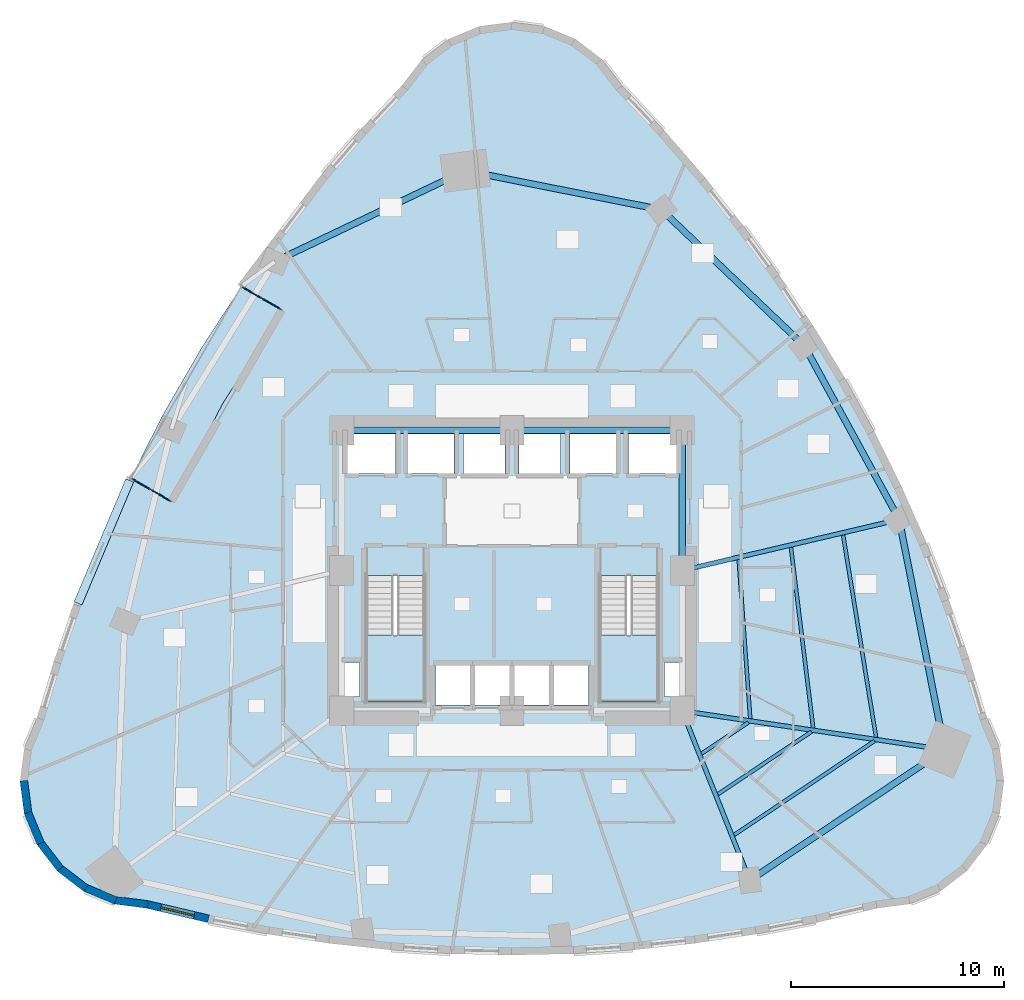
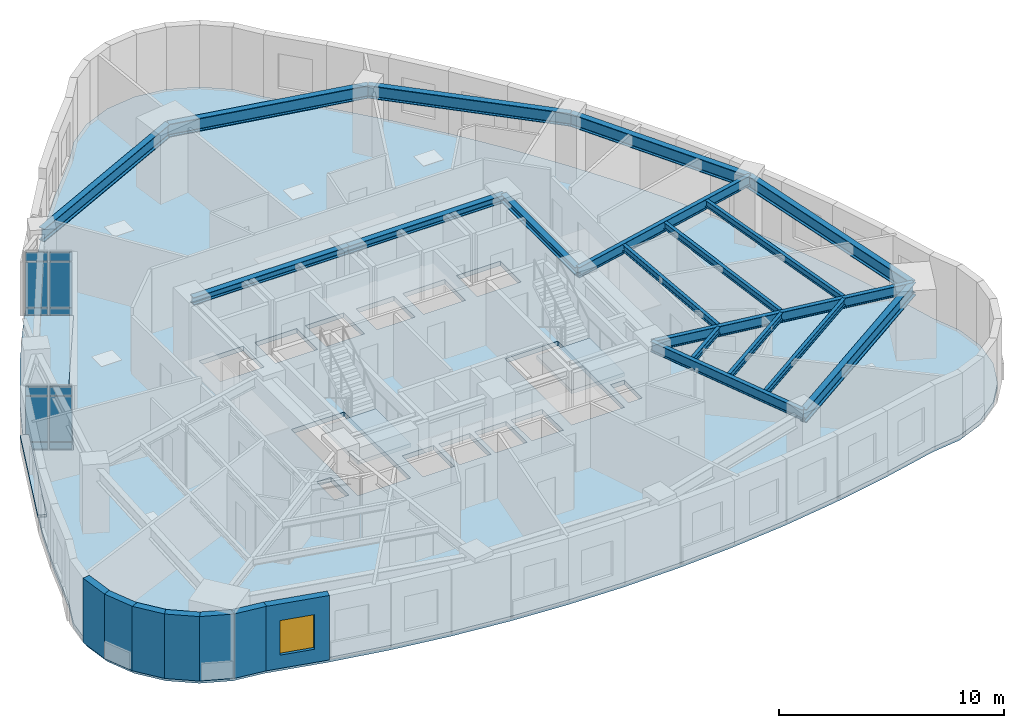
# One storey, part 4 of 12: 18 beams, 13 plates, 7 walls, 4 slabs, 1 window, 1 opening, 4 elements without a shape of their own.
"""IFC4 building model written with IfcOpenShell, lengths in metres."""

from ifc_helpers import new_model, si_unit, direction, frame, frame_2d, origin, origin_2d, place, context, subcontext, project, spatial, polyline, rectangle, i_section, outline, extrude, material, layer, layer_set, material_profile, profile_set, type_object, element, fill, aggregate, save


model = new_model("IFC4")

# Units and contexts
model_context = context("Model", 3, precision=1e-05, world=origin(), true_north=direction((0.0, 1.0)))
body_context = subcontext(model_context, "Body", "Model", "MODEL_VIEW")
ifc_project = project(units=[si_unit("LENGTHUNIT", "METRE"), si_unit("AREAUNIT", "SQUARE_METRE"), si_unit("VOLUMEUNIT", "CUBIC_METRE"), si_unit("PLANEANGLEUNIT", "RADIAN"), si_unit("MASSUNIT", "GRAM", prefix="KILO")], contexts=[model_context])

# Site, building, storey
site_placement = place(None, origin())
site = spatial("IfcSite", under=ifc_project, at=site_placement, CompositionType="ELEMENT")
building_placement = place(site_placement, origin())
building = spatial("IfcBuilding", under=site, at=building_placement, Name="Ndelora Gate Hotel", CompositionType="ELEMENT")
storey_placement = place(building_placement, frame((0.0, 0.0, 38.0)))
storey = spatial("IfcBuildingStorey", under=building, at=storey_placement, Name="L08", CompositionType="ELEMENT", Elevation=38.0)

# Beams
ifc_material_1 = material(Name="Steel S355", Category="steel")
ifc_material_profile_1 = material_profile(ifc_material_1, i_section(OverallWidth=0.300048828125, OverallDepth=0.39990234375, WebThickness=0.013427734375, FlangeThickness=0.02392578125, FilletRadius=0.027099609375, at=origin_2d()), Name="HEB 400")
ifc_profile_set_1 = profile_set([ifc_material_profile_1], Name="Steel S355")
beam_type_1 = type_object("IfcBeamType", Name="BM-CORE-400", PredefinedType="BEAM", material=ifc_profile_set_1)
for number, where, z_axis, x_axis, name in (
    (1, (-8.0, 6.60009765625, 3.300048828125), (1.0, 0.0, 0.0), (0.0, 1.0, 0.0), "L08 Core Tie Girder CC7-CC6"),
    (2, (0.0, 6.60009765625, 3.300048828125), (1.0, 0.0, 0.0), (0.0, 1.0, 0.0), "L08 Core Tie Girder CC6-CC5"),
):
    element("IfcBeam", number, at=place(storey_placement, frame(where, z_axis=z_axis, x_axis=x_axis)), inside=storey, type_object=beam_type_1, Name=name, PredefinedType="BEAM", context=body_context, shape_type="SweptSolid", body=[
        extrude(i_section(OverallWidth=0.300048828125, OverallDepth=0.39990234375, WebThickness=0.013427734375, FlangeThickness=0.02392578125, FilletRadius=0.027099609375, at=origin_2d()), origin(), (0.0, 0.0, 1.0), 8.0),
    ])
beam_1_placement = place(storey_placement, frame((8.0, 0.0, 3.300048828125), z_axis=(0.0, 1.0, 0.0), x_axis=(-1.0, 0.0, 0.0)))
element("IfcBeam", 3, at=beam_1_placement, inside=storey, type_object=beam_type_1, Name="L08 Core Tie Girder CC4-CC5", PredefinedType="BEAM", context=body_context, shape_type="SweptSolid", body=[
    extrude(i_section(OverallWidth=0.300048828125, OverallDepth=0.39990234375, WebThickness=0.013427734375, FlangeThickness=0.02392578125, FilletRadius=0.027099609375, at=origin_2d()), origin(), (0.0, 0.0, 1.0), 6.60009765625),
])
ifc_material_profile_2 = material_profile(ifc_material_1, i_section(OverallWidth=0.169921875, OverallDepth=0.360107421875, WebThickness=0.008056640625, FlangeThickness=0.0126953125, FilletRadius=0.01806640625, at=origin_2d()), Name="IPE 360")
ifc_profile_set_2 = profile_set([ifc_material_profile_2], Name="Steel S355")
beam_type_2 = type_object("IfcBeamType", Name="BM-JST-360", PredefinedType="JOIST", material=ifc_profile_set_2)
beam_2_placement = place(storey_placement, frame((8.922119140625, -8.608154296875, 3.320068359375), z_axis=(0.830952990267, 0.556342635402, 0.0), x_axis=(-0.556342635402, 0.830952990267, 0.0)))
element("IfcBeam", 4, at=beam_2_placement, inside=storey, type_object=beam_type_2, Name="L08 Secondary Composite Floor Joist IN-8", PredefinedType="JOIST", context=body_context, shape_type="SweptSolid", body=[
    extrude(i_section(OverallWidth=0.169921875, OverallDepth=0.360107421875, WebThickness=0.008056640625, FlangeThickness=0.0126953125, FilletRadius=0.01806640625, at=origin_2d()), origin(), (0.0, 0.0, 1.0), 2.6396484375),
])
beam_3_placement = place(storey_placement, frame((9.685302734375, -10.520751953125, 3.320068359375), z_axis=(0.83093347578, 0.556371781121, 0.0), x_axis=(-0.556371781121, 0.83093347578, 0.0)))
element("IfcBeam", 5, at=beam_3_placement, inside=storey, type_object=beam_type_2, Name="L08 Secondary Composite Floor Joist MID-8", PredefinedType="JOIST", context=body_context, shape_type="SweptSolid", body=[
    extrude(i_section(OverallWidth=0.169921875, OverallDepth=0.360107421875, WebThickness=0.008056640625, FlangeThickness=0.0126953125, FilletRadius=0.01806640625, at=origin_2d()), origin(), (0.0, 0.0, 1.0), 5.2880859375),
])
beam_4_placement = place(storey_placement, frame((10.448486328125, -12.433349609375, 3.320068359375), z_axis=(0.830936507521, 0.556367253231, 0.0), x_axis=(-0.556367253231, 0.830936507521, 0.0)))
element("IfcBeam", 6, at=beam_4_placement, inside=storey, type_object=beam_type_2, Name="L08 Secondary Composite Floor Joist OUT-8", PredefinedType="JOIST", context=body_context, shape_type="SweptSolid", body=[
    extrude(i_section(OverallWidth=0.169921875, OverallDepth=0.360107421875, WebThickness=0.008056640625, FlangeThickness=0.0126953125, FilletRadius=0.01806640625, at=origin_2d()), origin(), (0.0, 0.0, 1.0), 7.936767578125),
])
beam_5_placement = place(storey_placement, frame((11.20263671875, -6.9609375, 3.320068359375), z_axis=(-0.072176031603, 0.997391909162, 0.0), x_axis=(-0.997391909162, -0.072176031603, 0.0)))
element("IfcBeam", 7, at=beam_5_placement, inside=storey, type_object=beam_type_2, Name="L08 Secondary Composite Floor Joist IN-9", PredefinedType="JOIST", context=body_context, shape_type="SweptSolid", body=[
    extrude(i_section(OverallWidth=0.169921875, OverallDepth=0.360107421875, WebThickness=0.008056640625, FlangeThickness=0.0126953125, FilletRadius=0.01806640625, at=origin_2d()), origin(), (0.0, 0.0, 1.0), 7.489013671875),
])
beam_6_placement = place(storey_placement, frame((14.160888671875, -7.400390625, 3.320068359375), z_axis=(-0.122030984704, 0.992526291225, 0.0), x_axis=(-0.992526291225, -0.122030984704, 0.0)))
element("IfcBeam", 8, at=beam_6_placement, inside=storey, type_object=beam_type_2, Name="L08 Secondary Composite Floor Joist MID-9", PredefinedType="JOIST", context=body_context, shape_type="SweptSolid", body=[
    extrude(i_section(OverallWidth=0.169921875, OverallDepth=0.360107421875, WebThickness=0.008056640625, FlangeThickness=0.0126953125, FilletRadius=0.01806640625, at=origin_2d()), origin(), (0.0, 0.0, 1.0), 8.548828125),
])
beam_7_placement = place(storey_placement, frame((17.12060546875, -7.840087890625, 3.320068359375), z_axis=(-0.160901992796, 0.986970388975, 0.0), x_axis=(-0.986970388975, -0.160901992796, 0.0)))
element("IfcBeam", 9, at=beam_7_placement, inside=storey, type_object=beam_type_2, Name="L08 Secondary Composite Floor Joist OUT-9", PredefinedType="JOIST", context=body_context, shape_type="SweptSolid", body=[
    extrude(i_section(OverallWidth=0.169921875, OverallDepth=0.360107421875, WebThickness=0.008056640625, FlangeThickness=0.0126953125, FilletRadius=0.01806640625, at=origin_2d()), origin(), (0.0, 0.0, 1.0), 9.6259765625),
])
ifc_material_profile_3 = material_profile(ifc_material_1, i_section(OverallWidth=0.2099609375, OverallDepth=0.550048828125, WebThickness=0.010986328125, FlangeThickness=0.01708984375, FilletRadius=0.02392578125, at=origin_2d()), Name="IPE 550")
ifc_profile_set_3 = profile_set([ifc_material_profile_3], Name="Steel S355")
beam_type_3 = type_object("IfcBeamType", Name="BM-RAD-550", PredefinedType="BEAM", material=ifc_profile_set_3)
beam_8_placement = place(storey_placement, frame((8.0, -6.60009765625, 3.22509765625), z_axis=(0.37056142644, -0.92880796144, 0.0), x_axis=(0.92880796144, 0.37056142644, 0.0)))
element("IfcBeam", 10, at=beam_8_placement, inside=storey, type_object=beam_type_3, Name="L08 Radial Floor Girder 8", PredefinedType="BEAM", context=body_context, shape_type="SweptSolid", body=[
    extrude(i_section(OverallWidth=0.2099609375, OverallDepth=0.550048828125, WebThickness=0.010986328125, FlangeThickness=0.01708984375, FilletRadius=0.02392578125, at=origin_2d()), origin(), (0.0, 0.0, 1.0), 8.580078125),
])
beam_9_placement = place(storey_placement, frame((8.0, -6.60009765625, 3.22509765625), z_axis=(0.989209761041, -0.146506138649, 0.0), x_axis=(0.146506138649, 0.989209761041, 0.0)))
element("IfcBeam", 11, at=beam_9_placement, inside=storey, type_object=beam_type_3, Name="L08 Radial Floor Girder 9", PredefinedType="BEAM", context=body_context, shape_type="SweptSolid", body=[
    extrude(i_section(OverallWidth=0.2099609375, OverallDepth=0.550048828125, WebThickness=0.010986328125, FlangeThickness=0.01708984375, FilletRadius=0.02392578125, at=origin_2d()), origin(), (0.0, 0.0, 1.0), 12.48486328125),
])
beam_10_placement = place(storey_placement, frame((8.0, 0.0, 3.22509765625), z_axis=(0.973517848051, 0.22861102232, 0.0), x_axis=(-0.22861102232, 0.973517848051, 0.0)))
element("IfcBeam", 12, at=beam_10_placement, inside=storey, type_object=beam_type_3, Name="L08 Radial Floor Girder 10", PredefinedType="BEAM", context=body_context, shape_type="SweptSolid", body=[
    extrude(i_section(OverallWidth=0.2099609375, OverallDepth=0.550048828125, WebThickness=0.010986328125, FlangeThickness=0.01708984375, FilletRadius=0.02392578125, at=origin_2d()), origin(), (0.0, 0.0, 1.0), 10.48486328125),
])
ifc_material_profile_4 = material_profile(ifc_material_1, i_section(OverallWidth=0.300048828125, OverallDepth=0.699951171875, WebThickness=0.01708984375, FlangeThickness=0.031982421875, FilletRadius=0.027099609375, at=origin_2d()), Name="HEB 700")
ifc_profile_set_4 = profile_set([ifc_material_profile_4], Name="Steel S355")
beam_type_4 = type_object("IfcBeamType", Name="BM-RING-700", PredefinedType="SPANDREL", material=ifc_profile_set_4)
beam_11_placement = place(storey_placement, frame((-2.199951171875, 18.800048828125, 3.14990234375), z_axis=(-0.902476034566, -0.43074006899, 0.0), x_axis=(0.43074006899, -0.902476034566, 0.0)))
element("IfcBeam", 13, at=beam_11_placement, inside=storey, type_object=beam_type_4, Name="L08 Perimeter Spandrel Girder 1", PredefinedType="SPANDREL", context=body_context, shape_type="SweptSolid", body=[
    extrude(i_section(OverallWidth=0.300048828125, OverallDepth=0.699951171875, WebThickness=0.01708984375, FlangeThickness=0.031982421875, FilletRadius=0.027099609375, at=origin_2d()), origin(), (0.0, 0.0, 1.0), 9.91552734375),
])
beam_12_placement = place(storey_placement, frame((11.179443359375, -14.5693359375, 3.14990234375), z_axis=(0.830945983886, 0.556353099985, 0.0), x_axis=(-0.556353099985, 0.830945983886, 0.0)))
element("IfcBeam", 14, at=beam_12_placement, inside=storey, type_object=beam_type_4, Name="L08 Perimeter Spandrel Girder 8", PredefinedType="SPANDREL", context=body_context, shape_type="SweptSolid", body=[
    extrude(i_section(OverallWidth=0.300048828125, OverallDepth=0.699951171875, WebThickness=0.01708984375, FlangeThickness=0.031982421875, FilletRadius=0.027099609375, at=origin_2d()), origin(), (0.0, 0.0, 1.0), 11.036376953125),
])
beam_13_placement = place(storey_placement, frame((20.35009765625, -8.42919921875, 3.14990234375), z_axis=(-0.194163071691, 0.980969266385, 0.0), x_axis=(-0.980969266385, -0.194163071691, 0.0)))
element("IfcBeam", 15, at=beam_13_placement, inside=storey, type_object=beam_type_4, Name="L08 Perimeter Spandrel Girder 9", PredefinedType="SPANDREL", context=body_context, shape_type="SweptSolid", body=[
    extrude(i_section(OverallWidth=0.300048828125, OverallDepth=0.699951171875, WebThickness=0.01708984375, FlangeThickness=0.031982421875, FilletRadius=0.027099609375, at=origin_2d()), origin(), (0.0, 0.0, 1.0), 11.0361328125),
])
for number, where, z_axis, x_axis, name in (
    (16, (18.207275390625, 2.39697265625, 3.14990234375), (-0.479203651005, 0.87770374322, 0.0), (-0.87770374322, -0.479203651005, 0.0), "L08 Perimeter Spandrel Girder 10"),
    (17, (13.75390625, 10.5537109375, 3.14990234375), (-0.723784227769, 0.690026370244, 0.0), (-0.690026370244, -0.723784227769, 0.0), "L08 Perimeter Spandrel Girder 11"),
):
    element("IfcBeam", number, at=place(storey_placement, frame(where, z_axis=z_axis, x_axis=x_axis)), inside=storey, type_object=beam_type_4, Name=name, PredefinedType="SPANDREL", context=body_context, shape_type="SweptSolid", body=[
        extrude(i_section(OverallWidth=0.300048828125, OverallDepth=0.699951171875, WebThickness=0.01708984375, FlangeThickness=0.031982421875, FilletRadius=0.027099609375, at=origin_2d()), origin(), (0.0, 0.0, 1.0), 9.293212890625),
    ])
beam_14_placement = place(storey_placement, frame((7.027587890625, 16.96630859375, 3.14990234375), z_axis=(-0.980820478164, 0.194913287424, 0.0), x_axis=(-0.194913287424, -0.980820478164, 0.0)))
element("IfcBeam", 18, at=beam_14_placement, inside=storey, type_object=beam_type_4, Name="L08 Perimeter Spandrel Girder 12", PredefinedType="SPANDREL", context=body_context, shape_type="SweptSolid", body=[
    extrude(i_section(OverallWidth=0.300048828125, OverallDepth=0.699951171875, WebThickness=0.01708984375, FlangeThickness=0.031982421875, FilletRadius=0.027099609375, at=origin_2d()), origin(), (0.0, 0.0, 1.0), 9.407958984375),
])

# Curtain wall, plates
ifc_material_2 = material(Name="Bronze Anodised Unitised Aluminium and Low-E Glass", Category="aluminium")
ifc_layer_1 = layer(ifc_material_2, 0.199951171875)
ifc_layer_set_1 = layer_set([ifc_layer_1], Name="Bronze Anodised Unitised Aluminium and Low-E Glass")
curtain_wall_type = type_object("IfcCurtainWallType", Name="CW-SYS-3", PredefinedType="NOTDEFINED", material=ifc_layer_set_1)
curtain_wall_1_placement = place(storey_placement, origin())
curtain_wall_1 = element("IfcCurtainWall", 19, at=curtain_wall_1_placement, inside=storey, type_object=curtain_wall_type, Name="L08 Sky-Garden Loggia Side Curtain Wall CW3-1", PredefinedType="NOTDEFINED")
ifc_material_3 = material(Name="Solar-Control Low-E Insulated Glazing", Category="glass")
ifc_layer_2 = layer(ifc_material_3, 0.048095703125)
ifc_layer_set_2 = layer_set([ifc_layer_2], Name="Solar-Control Low-E Insulated Glazing")
plate_type_1 = type_object("IfcPlateType", Name="PL-CW-GLZ36", PredefinedType="CURTAIN_PANEL", material=ifc_layer_set_2)
plate_1_placement = place(storey_placement, frame((-11.315185546875, 12.537353515625, 0.05908203125), z_axis=(0.0, 0.0, 1.0), x_axis=(-0.866030416344, 0.499991317892, 0.0)))
plate_1 = element("IfcPlate", 20, at=plate_1_placement, type_object=plate_type_1, Name="CW3 panel 1.1", PredefinedType="CURTAIN_PANEL", context=body_context, shape_type="SweptSolid", body=[
    extrude(rectangle(XDim=1.014404296875, YDim=0.048095703125, at=origin_2d()), origin(), (0.0, 0.0, 1.0), 0.364501953125),
])
plate_2_placement = place(storey_placement, frame((-11.315185546875, 12.537353515625, 0.4765625), z_axis=(0.0, 0.0, 1.0), x_axis=(-0.866030416344, 0.499991317892, 0.0)))
plate_2 = element("IfcPlate", 21, at=plate_2_placement, type_object=plate_type_1, Name="CW3 panel 1.2", PredefinedType="CURTAIN_PANEL", context=body_context, shape_type="SweptSolid", body=[
    extrude(rectangle(XDim=1.014404296875, YDim=0.048095703125, at=origin_2d()), origin(), (0.0, 0.0, 1.0), 2.447021484375),
])
plate_3_placement = place(storey_placement, frame((-11.315185546875, 12.537353515625, 2.9765625), z_axis=(0.0, 0.0, 1.0), x_axis=(-0.866030416344, 0.499991317892, 0.0)))
plate_3 = element("IfcPlate", 22, at=plate_3_placement, type_object=plate_type_1, Name="CW3 panel 1.3", PredefinedType="CURTAIN_PANEL", context=body_context, shape_type="SweptSolid", body=[
    extrude(rectangle(XDim=1.014404296875, YDim=0.048095703125, at=origin_2d()), origin(), (0.0, 0.0, 1.0), 0.464599609375),
])
plate_4_placement = place(storey_placement, frame((-12.23974609375, 13.071044921875, 0.05908203125), z_axis=(0.0, 0.0, 1.0), x_axis=(-0.866030416344, 0.499991317892, 0.0)))
plate_4 = element("IfcPlate", 23, at=plate_4_placement, type_object=plate_type_1, Name="CW3 panel 2.1", PredefinedType="CURTAIN_PANEL", context=body_context, shape_type="SweptSolid", body=[
    extrude(rectangle(XDim=1.014404296875, YDim=0.048095703125, at=origin_2d()), origin(), (0.0, 0.0, 1.0), 0.364501953125),
])
plate_5_placement = place(storey_placement, frame((-12.23974609375, 13.071044921875, 0.4765625), z_axis=(0.0, 0.0, 1.0), x_axis=(-0.866030416344, 0.499991317892, 0.0)))
plate_5 = element("IfcPlate", 24, at=plate_5_placement, type_object=plate_type_1, Name="CW3 panel 2.2", PredefinedType="CURTAIN_PANEL", context=body_context, shape_type="SweptSolid", body=[
    extrude(rectangle(XDim=1.014404296875, YDim=0.048095703125, at=origin_2d()), origin(), (0.0, 0.0, 1.0), 2.447021484375),
])
plate_6_placement = place(storey_placement, frame((-12.23974609375, 13.071044921875, 2.9765625), z_axis=(0.0, 0.0, 1.0), x_axis=(-0.866030416344, 0.499991317892, 0.0)))
plate_6 = element("IfcPlate", 25, at=plate_6_placement, type_object=plate_type_1, Name="CW3 panel 2.3", PredefinedType="CURTAIN_PANEL", context=body_context, shape_type="SweptSolid", body=[
    extrude(rectangle(XDim=1.014404296875, YDim=0.048095703125, at=origin_2d()), origin(), (0.0, 0.0, 1.0), 0.464599609375),
])
aggregate(curtain_wall_1, [plate_1, plate_2, plate_3, plate_4, plate_5, plate_6])

curtain_wall_2_placement = place(storey_placement, origin())
curtain_wall_2 = element("IfcCurtainWall", 26, at=curtain_wall_2_placement, inside=storey, type_object=curtain_wall_type, Name="L08 Sky-Garden Loggia Side Curtain Wall CW3-2", PredefinedType="NOTDEFINED")
plate_7_placement = place(storey_placement, frame((-17.439697265625, 4.064453125, 0.05908203125), z_axis=(0.0, 0.0, 1.0), x_axis=(0.866030416344, -0.499991317892, 0.0)))
plate_7 = element("IfcPlate", 27, at=plate_7_placement, type_object=plate_type_1, Name="CW3 panel 1.1", PredefinedType="CURTAIN_PANEL", context=body_context, shape_type="SweptSolid", body=[
    extrude(rectangle(XDim=1.014404296875, YDim=0.048095703125, at=origin_2d()), origin(), (0.0, 0.0, 1.0), 0.364501953125),
])
plate_8_placement = place(storey_placement, frame((-17.439697265625, 4.064453125, 0.4765625), z_axis=(0.0, 0.0, 1.0), x_axis=(0.866030416344, -0.499991317892, 0.0)))
plate_8 = element("IfcPlate", 28, at=plate_8_placement, type_object=plate_type_1, Name="CW3 panel 1.2", PredefinedType="CURTAIN_PANEL", context=body_context, shape_type="SweptSolid", body=[
    extrude(rectangle(XDim=1.014404296875, YDim=0.048095703125, at=origin_2d()), origin(), (0.0, 0.0, 1.0), 2.447021484375),
])
plate_9_placement = place(storey_placement, frame((-17.439697265625, 4.064453125, 2.9765625), z_axis=(0.0, 0.0, 1.0), x_axis=(0.866030416344, -0.499991317892, 0.0)))
plate_9 = element("IfcPlate", 29, at=plate_9_placement, type_object=plate_type_1, Name="CW3 panel 1.3", PredefinedType="CURTAIN_PANEL", context=body_context, shape_type="SweptSolid", body=[
    extrude(rectangle(XDim=1.014404296875, YDim=0.048095703125, at=origin_2d()), origin(), (0.0, 0.0, 1.0), 0.464599609375),
])
plate_10_placement = place(storey_placement, frame((-16.515380859375, 3.53076171875, 0.05908203125), z_axis=(0.0, 0.0, 1.0), x_axis=(0.866030416344, -0.499991317892, 0.0)))
plate_10 = element("IfcPlate", 30, at=plate_10_placement, type_object=plate_type_1, Name="CW3 panel 2.1", PredefinedType="CURTAIN_PANEL", context=body_context, shape_type="SweptSolid", body=[
    extrude(rectangle(XDim=1.014404296875, YDim=0.048095703125, at=origin_2d()), origin(), (0.0, 0.0, 1.0), 0.364501953125),
])
plate_11_placement = place(storey_placement, frame((-16.515380859375, 3.53076171875, 0.4765625), z_axis=(0.0, 0.0, 1.0), x_axis=(0.866030416344, -0.499991317892, 0.0)))
plate_11 = element("IfcPlate", 31, at=plate_11_placement, type_object=plate_type_1, Name="CW3 panel 2.2", PredefinedType="CURTAIN_PANEL", context=body_context, shape_type="SweptSolid", body=[
    extrude(rectangle(XDim=1.014404296875, YDim=0.048095703125, at=origin_2d()), origin(), (0.0, 0.0, 1.0), 2.447021484375),
])
plate_12_placement = place(storey_placement, frame((-16.515380859375, 3.53076171875, 2.9765625), z_axis=(0.0, 0.0, 1.0), x_axis=(0.866030416344, -0.499991317892, 0.0)))
plate_12 = element("IfcPlate", 32, at=plate_12_placement, type_object=plate_type_1, Name="CW3 panel 2.3", PredefinedType="CURTAIN_PANEL", context=body_context, shape_type="SweptSolid", body=[
    extrude(rectangle(XDim=1.014404296875, YDim=0.048095703125, at=origin_2d()), origin(), (0.0, 0.0, 1.0), 0.464599609375),
])
aggregate(curtain_wall_2, [plate_7, plate_8, plate_9, plate_10, plate_11, plate_12])

# Plate
ifc_material_4 = material(Name="Precast concrete C40/50", Category="concrete")
ifc_layer_3 = layer(ifc_material_4, 0.125)
ifc_layer_set_3 = layer_set([ifc_layer_3], Name="Precast concrete C40/50")
plate_type_2 = type_object("IfcPlateType", Name="PL-SILL-120", PredefinedType="USERDEFINED", material=ifc_layer_set_3)
plate_13_placement = place(storey_placement, frame((-19.193359375, 1.344482421875, 0.78759765625), z_axis=(0.0, 0.0, 1.0), x_axis=(0.387676476022, 0.921795503319, 0.0)))
element("IfcPlate", 33, at=plate_13_placement, inside=storey, type_object=plate_type_2, Name="L08 Streamline Precast Ribbon Sill 16", ObjectType="RIBBON_SILL", PredefinedType="USERDEFINED", context=body_context, shape_type="SweptSolid", body=[
    extrude(rectangle(XDim=6.26611328125, YDim=0.39990234375, at=origin_2d()), origin(), (0.0, 0.0, 1.0), 0.125),
])

# Stair, slab
stair_type = type_object("IfcStairType", Name="STR-DOG-CORE", PredefinedType="HALF_TURN_STAIR", material=ifc_material_4)
stair_1_placement = place(storey_placement, origin())
stair_1 = element("IfcStair", 34, at=stair_1_placement, inside=storey, type_object=stair_type, Name="L08 Protected Core Exit Stair ST4", PredefinedType="HALF_TURN_STAIR")
ifc_layer_4 = layer(ifc_material_4, 0.219970703125)
ifc_layer_set_4 = layer_set([ifc_layer_4], Name="Precast concrete C40/50")
slab_type_1 = type_object("IfcSlabType", Name="SL-LAND-220", PredefinedType="LANDING", material=ifc_layer_set_4)
slab_1_placement = place(storey_placement, frame((0.0, 0.0, 1.675048828125)))
slab_1 = element("IfcSlab", 35, at=slab_1_placement, type_object=slab_type_1, Name="ST4 landing 1", PredefinedType="LANDING", context=body_context, shape_type="SweptSolid", body=[
    extrude(outline(polyline([(-6.85009765625, -3.030029296875), (-6.85009765625, -6.14990234375), (-4.1298828125, -6.14990234375), (-4.1298828125, -3.030029296875), (-6.85009765625, -3.030029296875)])), origin(), (0.0, 0.0, 1.0), 0.199951171875),
])
aggregate(stair_1, [slab_1])

stair_2_placement = place(storey_placement, origin())
stair_2 = element("IfcStair", 36, at=stair_2_placement, inside=storey, type_object=stair_type, Name="L08 Protected Core Exit Stair ST5", PredefinedType="HALF_TURN_STAIR")
slab_2_placement = place(storey_placement, frame((0.0, 0.0, 1.675048828125)))
slab_2 = element("IfcSlab", 37, at=slab_2_placement, type_object=slab_type_1, Name="ST5 landing 1", PredefinedType="LANDING", context=body_context, shape_type="SweptSolid", body=[
    extrude(outline(polyline([(4.1298828125, -3.030029296875), (4.1298828125, -6.14990234375), (6.85009765625, -6.14990234375), (6.85009765625, -3.030029296875), (4.1298828125, -3.030029296875)])), origin(), (0.0, 0.0, 1.0), 0.199951171875),
])
aggregate(stair_2, [slab_2])

# Slabs
ifc_layer_5 = layer(ifc_material_4, 0.239990234375)
ifc_layer_set_5 = layer_set([ifc_layer_5], Name="Precast concrete C40/50")
slab_type_2 = type_object("IfcSlabType", Name="SL-TER-240", PredefinedType="FLOOR", material=ifc_layer_set_5)
slab_3_placement = place(storey_placement, frame((0.0, 0.0, -0.239990234375)))
element("IfcSlab", 38, at=slab_3_placement, inside=storey, type_object=slab_type_2, Name="L08 Sky Garden Loggia Terrace Slab", PredefinedType="FLOOR", context=body_context, shape_type="SweptSolid", body=[
    extrude(outline(polyline([(-10.824951171875, 12.254150390625), (-12.730224609375, 13.354248046875), (-14.60107421875, 10.471435546875), (-16.368896484375, 7.4091796875), (-17.93017578125, 4.34765625), (-16.02490234375, 3.24755859375), (-13.60009765625, 7.85205078125), (-10.824951171875, 12.254150390625)])), origin(), (0.0, 0.0, 1.0), 0.239990234375),
])
ifc_material_5 = material(Name="Concrete C40/50", Category="concrete")
ifc_layer_6 = layer(ifc_material_5, 0.25)
ifc_layer_set_6 = layer_set([ifc_layer_6], Name="Concrete C40/50")
slab_type_3 = type_object("IfcSlabType", Name="SL-TWR-250", PredefinedType="FLOOR", material=ifc_layer_set_6)
slab_4_placement = place(storey_placement, frame((0.0, 0.0, -0.25)))
element("IfcSlab", 39, at=slab_4_placement, inside=storey, type_object=slab_type_3, Name="L08 Structural Floor Slab", PredefinedType="FLOOR", context=body_context, shape_type="SweptSolid", body=[
    extrude(outline(polyline([(5.02294921875, 22.7080078125), (4.101318359375, 23.9091796875), (2.89990234375, 24.830810546875), (1.501220703125, 25.41015625), (0.0, 25.60791015625), (-1.501220703125, 25.41015625), (-2.89990234375, 24.830810546875), (-4.101318359375, 23.9091796875), (-5.02294921875, 22.7080078125), (-6.956298828125, 20.65478515625), (-8.7919921875, 18.54541015625), (-12.730224609375, 13.354248046875), (-10.824951171875, 12.254150390625), (-13.60009765625, 7.85205078125), (-16.02490234375, 3.24755859375), (-17.93017578125, 4.34765625), (-20.456787109375, -1.65869140625), (-21.365478515625, -4.302978515625), (-22.177001953125, -7.00390625), (-22.756591796875, -8.40283203125), (-22.9541015625, -9.90380859375), (-22.756591796875, -11.405029296875), (-22.177001953125, -12.803955078125), (-21.25537109375, -14.005126953125), (-20.05419921875, -14.927001953125), (-18.6552734375, -15.50634765625), (-17.154052734375, -15.703857421875), (-14.295166015625, -16.376220703125), (-11.43603515625, -16.926025390625), (-8.5771484375, -17.35400390625), (-5.718017578125, -17.659423828125), (-2.85888671875, -17.8427734375), (0.0, -17.90380859375), (2.85888671875, -17.8427734375), (5.718017578125, -17.659423828125), (8.5771484375, -17.35400390625), (11.43603515625, -16.926025390625), (14.295166015625, -16.376220703125), (17.154052734375, -15.703857421875), (18.6552734375, -15.50634765625), (20.05419921875, -14.927001953125), (21.25537109375, -14.005126953125), (22.177001953125, -12.803955078125), (22.756591796875, -11.405029296875), (22.9541015625, -9.90380859375), (22.756591796875, -8.40283203125), (22.177001953125, -7.00390625), (21.32958984375, -4.19189453125), (20.37646484375, -1.44091796875), (19.3173828125, 1.2490234375), (18.152587890625, 3.877685546875), (16.8818359375, 6.4453125), (15.50537109375, 8.951904296875), (14.022705078125, 11.3974609375), (12.4345703125, 13.78173828125), (10.740478515625, 16.10498046875), (8.9404296875, 18.366943359375), (7.03466796875, 20.568115234375), (5.02294921875, 22.7080078125)]), holes=[polyline([(-6.85009765625, -0.22998046875), (-6.85009765625, -6.14990234375), (-4.1298828125, -6.14990234375), (-4.1298828125, -0.22998046875), (-6.85009765625, -0.22998046875)]), polyline([(4.1298828125, -0.22998046875), (4.1298828125, -6.14990234375), (6.85009765625, -6.14990234375), (6.85009765625, -0.22998046875), (4.1298828125, -0.22998046875)]), polyline([(-7.72998046875, 4.570068359375), (-5.469970703125, 4.570068359375), (-5.469970703125, 6.429931640625), (-7.72998046875, 6.429931640625), (-7.72998046875, 4.570068359375)]), polyline([(5.469970703125, 4.570068359375), (7.72998046875, 4.570068359375), (7.72998046875, 6.429931640625), (5.469970703125, 6.429931640625), (5.469970703125, 4.570068359375)]), polyline([(-4.8798828125, 4.570068359375), (-2.719970703125, 4.570068359375), (-2.719970703125, 6.429931640625), (-4.8798828125, 6.429931640625), (-4.8798828125, 4.570068359375)]), polyline([(2.719970703125, 4.570068359375), (4.8798828125, 4.570068359375), (4.8798828125, 6.429931640625), (2.719970703125, 6.429931640625), (2.719970703125, 4.570068359375)]), polyline([(-3.60009765625, -6.330078125), (-1.97998046875, -6.330078125), (-1.97998046875, -4.469970703125), (-3.60009765625, -4.469970703125), (-3.60009765625, -6.330078125)]), polyline([(-1.739990234375, -6.330078125), (-0.1201171875, -6.330078125), (-0.1201171875, -4.469970703125), (-1.739990234375, -4.469970703125), (-1.739990234375, -6.330078125)]), polyline([(0.1201171875, -6.330078125), (1.739990234375, -6.330078125), (1.739990234375, -4.469970703125), (0.1201171875, -4.469970703125), (0.1201171875, -6.330078125)]), polyline([(1.97998046875, -6.330078125), (3.60009765625, -6.330078125), (3.60009765625, -4.469970703125), (1.97998046875, -4.469970703125), (1.97998046875, -6.330078125)]), polyline([(-2.280029296875, 4.570068359375), (-0.320068359375, 4.570068359375), (-0.320068359375, 6.429931640625), (-2.280029296875, 6.429931640625), (-2.280029296875, 4.570068359375)]), polyline([(0.320068359375, 4.570068359375), (2.280029296875, 4.570068359375), (2.280029296875, 6.429931640625), (0.320068359375, 6.429931640625), (0.320068359375, 4.570068359375)]), polyline([(-7.89990234375, -5.919921875), (-7.179931640625, -5.919921875), (-7.179931640625, -4.320068359375), (-7.89990234375, -4.320068359375), (-7.89990234375, -5.919921875)]), polyline([(7.179931640625, -5.919921875), (7.89990234375, -5.919921875), (7.89990234375, -4.320068359375), (7.179931640625, -4.320068359375), (7.179931640625, -5.919921875)])]), origin(), (0.0, 0.0, 1.0), 0.25),
])

# Walls
ifc_material_6 = material(Name="Clay Brick Masonry", Category="masonry")
ifc_layer_7 = layer(ifc_material_6, 0.360107421875)
ifc_layer_set_7 = layer_set([ifc_layer_7], Name="Clay Brick Masonry")
wall_type = type_object("IfcWallType", Name="WL-BRICK-360", PredefinedType="SOLIDWALL", material=ifc_layer_set_7)
wall_1_placement = place(storey_placement, frame((-22.753173828125, -11.429931640625, 0.0), z_axis=(0.0, 0.0, 1.0), x_axis=(-0.130640235609, 0.991429840604, 0.0)))
element("IfcWall", 40, at=wall_1_placement, inside=storey, type_object=wall_type, Name="L08 Tower Brick Pier-and-Spandrel Wall TWR-21", PredefinedType="SOLIDWALL", context=body_context, shape_type="SweptSolid", body=[
    extrude(rectangle(XDim=1.564208984375, YDim=0.360107421875, at=frame_2d((0.7822265625, 0.0))), origin(), (0.0, 0.0, 1.0), 3.5),
])
wall_2_placement = place(storey_placement, frame((-22.16748046875, -12.826904296875, 0.0), z_axis=(0.0, 0.0, 1.0), x_axis=(-0.382774588958, 0.923841768945, 0.0)))
element("IfcWall", 41, at=wall_2_placement, inside=storey, type_object=wall_type, Name="L08 Tower Brick Pier-and-Spandrel Wall TWR-22", PredefinedType="SOLIDWALL", context=body_context, shape_type="SweptSolid", body=[
    extrude(rectangle(XDim=1.56396484375, YDim=0.360107421875, at=frame_2d((0.781982421875, 0.0))), origin(), (0.0, 0.0, 1.0), 3.5),
])
for number, where, z_axis, x_axis, name in (
    (42, (-21.239990234375, -14.02490234375, 0.0), (0.0, 0.0, 1.0), (-0.608903307772, 0.793244452729, 0.0), "L08 Tower Brick Pier-and-Spandrel Wall TWR-23"),
    (43, (-20.0341796875, -14.942138671875, 0.0), (0.0, 0.0, 1.0), (-0.793377694402, 0.608729688799, 0.0), "L08 Tower Brick Pier-and-Spandrel Wall TWR-24"),
    (44, (-18.632080078125, -15.515869140625, 0.0), (0.0, 0.0, 1.0), (-0.923864636245, 0.382719393153, 0.0), "L08 Tower Brick Pier-and-Spandrel Wall TWR-25"),
    (45, (-17.12939453125, -15.707275390625, 0.0), (0.0, 0.0, 1.0), (-0.991429840604, 0.130640235609, 0.0), "L08 Tower Brick Pier-and-Spandrel Wall TWR-26"),
):
    element("IfcWall", number, at=place(storey_placement, frame(where, z_axis=z_axis, x_axis=x_axis)), inside=storey, type_object=wall_type, Name=name, PredefinedType="SOLIDWALL", context=body_context, shape_type="SweptSolid", body=[
        extrude(rectangle(XDim=1.564208984375, YDim=0.360107421875, at=frame_2d((0.7822265625, 0.0))), origin(), (0.0, 0.0, 1.0), 3.5),
    ])

# Wall, opening, window
wall_3_placement = place(storey_placement, frame((-14.270751953125, -16.3818359375, 0.0), z_axis=(0.0, 0.0, 1.0), x_axis=(-0.973460028485, 0.228857101575, 0.0)))
wall_3 = element("IfcWall", 46, at=wall_3_placement, inside=storey, type_object=wall_type, Name="L08 Tower Brick Pier-and-Spandrel Wall TWR-27", PredefinedType="SOLIDWALL", context=body_context, shape_type="SweptSolid", body=[
    extrude(rectangle(XDim=2.987060546875, YDim=0.360107421875, at=frame_2d((1.49365234375, 0.0))), origin(), (0.0, 0.0, 1.0), 3.5),
])
opening_placement = place(wall_3_placement, frame((0.693603515625, 0.0, 0.719970703125)))
opening = element("IfcOpeningElement", 47, at=opening_placement, cuts=wall_3, Name="Opening W01", PredefinedType="OPENING", context=body_context, shape_type="SweptSolid", body=[
    extrude(rectangle(XDim=1.60009765625, YDim=1.8798828125, at=frame_2d((0.800048828125, 0.93994140625))), frame((0.0, 0.18994140625, 0.0), z_axis=(0.0, -1.0, 0.0), x_axis=(1.0, 0.0, 0.0)), (0.0, 0.0, 1.0), 0.380126953125),
])
ifc_material_7 = material(Name="Insulated Low-E Double Glazing in Bronze Aluminium Frame", Category="aluminium")
window_type = type_object("IfcWindowType", Name="WN-DEEP-1600", PartitioningType="SINGLE_PANEL", PredefinedType="WINDOW", material=ifc_material_7)
window_placement = place(opening_placement, origin())
window = element("IfcWindow", 48, at=window_placement, inside=storey, type_object=window_type, Name="L08 Deep-Set Brick-Pier Window W01", OverallHeight=1.8798828125, OverallWidth=1.60009765625, PartitioningType="SINGLE_PANEL", PredefinedType="WINDOW", context=body_context, shape_type="SweptSolid", body=[
    extrude(rectangle(XDim=1.60009765625, YDim=1.8798828125, at=frame_2d((0.800048828125, 0.93994140625))), frame((0.0, 0.030029296875, 0.0), z_axis=(0.0, -1.0, 0.0), x_axis=(1.0, 0.0, 0.0)), (0.0, 0.0, 1.0), 0.06005859375),
])
fill(opening, window)

save(model, "model.ifc")
